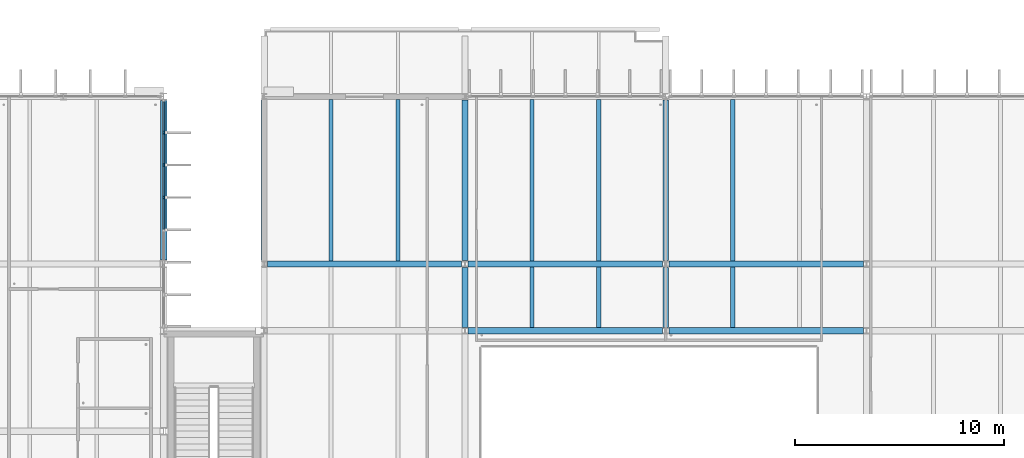
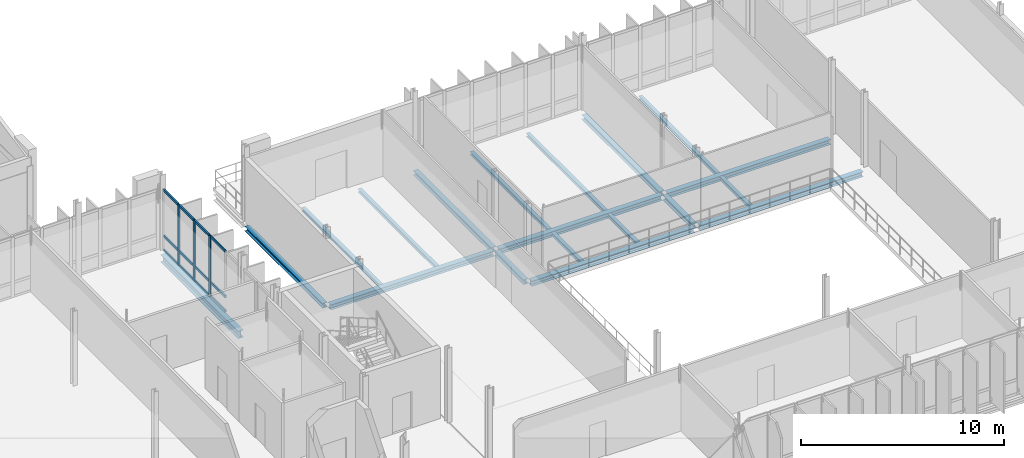
# One storey, part 22 of 93: 19 beams, 15 members, 1 element without a shape of its own.
"""IFC4 building model written with IfcOpenShell, lengths in metres."""

import ifcopenshell
import ifcopenshell.guid

model = None  # the IFC model being written
_history = None  # IfcOwnerHistory: only IFC2X3 demands one
_inside = {}  # id of a spatial element -> (the spatial element, [elements in it])
_under = {}  # id of a project, library or spatial element -> (it, [spatial elements below it])
_declared = {}  # id of a project -> (the project, [libraries it declares])
_typed = {}  # id of a type object -> (the type object, [elements of that type])
_made_of = {}  # id of a material, layer set ... -> (it, [elements and type objects made of it])


def new_model(schema):
    """Start an empty IFC model of exactly this schema.

    Asked for "IFC4X3", IfcOpenShell would pick the latest addendum, in which some entities
    have other attributes; the version numbers below select the first issue.
    IFC2X3 requires an IfcOwnerHistory on every rooted entity: one is made here for all.
    """
    global model, _history
    if schema == "IFC4X3":
        model = ifcopenshell.file(schema_version=(4, 3, 0, 0))
    else:
        model = ifcopenshell.file(schema=schema)
    _inside.clear()
    _under.clear()
    _declared.clear()
    _typed.clear()
    _made_of.clear()
    _history = None
    if model.schema == "IFC2X3":
        org = make("IfcOrganization", Name="unknown")
        user = make(
            "IfcPersonAndOrganization",
            ThePerson=make("IfcPerson", FamilyName="unknown"),
            TheOrganization=org,
        )
        app = make(
            "IfcApplication",
            ApplicationDeveloper=org,
            Version="unknown",
            ApplicationFullName="unknown",
            ApplicationIdentifier="unknown",
        )
        _history = make(
            "IfcOwnerHistory",
            OwningUser=user,
            OwningApplication=app,
            ChangeAction="ADDED",
            CreationDate=0,
        )
    return model


def make(cls, **values):
    """One entity of the class cls with the attributes given. An attribute that is None is left unset."""
    return model.create_entity(
        cls, **{name: value for name, value in values.items() if value is not None}
    )


def rooted(cls, **values):
    """An entity with a GlobalId (a new one), such as an element, a storey or a relation."""
    return make(cls, GlobalId=ifcopenshell.guid.new(), OwnerHistory=_history, **values)


def si_unit(unit_type, name, prefix=None):
    """IfcSIUnit, for example si_unit("LENGTHUNIT", "METRE", prefix="MILLI")."""
    return make("IfcSIUnit", UnitType=unit_type, Prefix=prefix, Name=name)


def assignment(units):
    """IfcUnitAssignment: the units of a project."""
    return None if units is None else make("IfcUnitAssignment", Units=units)


def point(xyz):
    """IfcCartesianPoint."""
    return None if xyz is None else make("IfcCartesianPoint", Coordinates=xyz)


def direction(xyz):
    """IfcDirection."""
    return None if xyz is None else make("IfcDirection", DirectionRatios=xyz)


def frame(location, z_axis=None, x_axis=None):
    """IfcAxis2Placement3D, a coordinate frame: its origin and axes. An axis left out is left unset."""
    return make(
        "IfcAxis2Placement3D",
        Location=point(location),
        Axis=direction(z_axis),
        RefDirection=direction(x_axis),
    )


def frame_2d(location, x_axis=None):
    """IfcAxis2Placement2D, a coordinate frame in the plane: its origin and x axis."""
    return make(
        "IfcAxis2Placement2D", Location=point(location), RefDirection=direction(x_axis)
    )


def origin():
    """The frame at (0, 0, 0) with its axes left unset."""
    return frame((0.0, 0.0, 0.0))


def origin_2d():
    """The frame at (0, 0) in the plane with its x axis left unset."""
    return frame_2d((0.0, 0.0))


def place(relative_to, where):
    """IfcLocalPlacement: puts the frame where relative to a parent placement (None: the world)."""
    return make(
        "IfcLocalPlacement", PlacementRelTo=relative_to, RelativePlacement=where
    )


def context(
    kind, dimensions, precision=None, world=None, true_north=None, identifier=None
):
    """IfcGeometricRepresentationContext, for example the 3D "Model" context."""
    return make(
        "IfcGeometricRepresentationContext",
        ContextIdentifier=identifier,
        ContextType=kind,
        CoordinateSpaceDimension=dimensions,
        Precision=precision,
        WorldCoordinateSystem=world,
        TrueNorth=true_north,
    )


def subcontext(parent, identifier, kind, view, scale=None):
    """IfcGeometricRepresentationSubContext, for example "Body" below "Model"."""
    return make(
        "IfcGeometricRepresentationSubContext",
        ContextIdentifier=identifier,
        ContextType=kind,
        ParentContext=parent,
        TargetScale=scale,
        TargetView=view,
    )


def project(units=None, contexts=None):
    """IfcProject with its units and contexts."""
    return rooted(
        "IfcProject",
        Name="project",
        RepresentationContexts=contexts,
        UnitsInContext=assignment(units),
    )


def spatial(cls, under=None, at=None, **own):
    """A site, building, storey or space (cls), placed at a placement, below another one or the project."""
    s = rooted(cls, ObjectPlacement=at, **own)
    if under is not None:
        _under.setdefault(under.id(), (under, []))[1].append(s)
    return s


def profile(cls, at=None, kind="AREA", **sizes):
    """A parametric profile (cls). Its sizes go by their IFC names, for example OverallWidth=200.0."""
    return make(cls, ProfileType=kind, Position=at, **sizes)


def rectangle(**sizes):
    """IfcRectangleProfileDef."""
    return profile("IfcRectangleProfileDef", **sizes)


def i_section(**sizes):
    """IfcIShapeProfileDef."""
    return profile("IfcIShapeProfileDef", **sizes)


def extrude(swept, where, along, depth):
    """IfcExtrudedAreaSolid: the profile swept, set in the frame where, extruded along a direction by depth."""
    return make(
        "IfcExtrudedAreaSolid",
        SweptArea=swept,
        Position=where,
        ExtrudedDirection=direction(along),
        Depth=depth,
    )


def shape(context_of_items, identifier, shape_type, items):
    """IfcShapeRepresentation: the items that make up one representation, for example the "Body"."""
    return make(
        "IfcShapeRepresentation",
        ContextOfItems=context_of_items,
        RepresentationIdentifier=identifier,
        RepresentationType=shape_type,
        Items=items,
    )


def material(Name=None, Category=None):
    """IfcMaterial."""
    return make("IfcMaterial", Name=Name, Category=Category)


def material_profile(
    of_material, cross_section, Name=None, Category=None, Priority=None
):
    """IfcMaterialProfile: a cross section and its material."""
    return make(
        "IfcMaterialProfile",
        Name=Name,
        Material=of_material,
        Profile=cross_section,
        Priority=Priority,
        Category=Category,
    )


def profile_set(profiles, Name=None, composite=None):
    """IfcMaterialProfileSet."""
    return make(
        "IfcMaterialProfileSet",
        Name=Name,
        MaterialProfiles=profiles,
        CompositeProfile=composite,
    )


def made_of(thing, what):
    """Note that an element or type object is made of a material, layer set ...; save() writes the relation."""
    if what is not None:
        _made_of.setdefault(what.id(), (what, []))[1].append(thing)
    return thing


def type_object(cls, material=None, **own):
    """A type object (cls), such as IfcWallType, which elements share."""
    return made_of(rooted(cls, **own), material)


def element(
    cls,
    number,
    at=None,
    inside=None,
    cuts=None,
    type_object=None,
    material=None,
    context=None,
    identifier="Body",
    shape_type=None,
    held_by="IfcProductDefinitionShape",
    body=None,
    shapes=None,
    **own,
):
    """One element of the class cls, such as IfcWall. Its Tag is "e" and its number.

    at: its placement. inside: the storey or other place that contains it. cuts: it is an
    opening in that element (IfcRelVoidsElement). A single representation is given by context,
    identifier, shape_type and body (its items); several are given by shapes. held_by: the class
    of the entity that holds the representations. save() writes the other relations.
    """
    e = rooted(cls, Tag="e%d" % number, ObjectPlacement=at, **own)
    if body is not None:
        shapes = [shape(context, identifier, shape_type, body)]
    if shapes is not None:
        e.Representation = make(held_by, Representations=shapes)
    if inside is not None:
        _inside.setdefault(inside.id(), (inside, []))[1].append(e)
    if cuts is not None:
        rooted(
            "IfcRelVoidsElement", RelatingBuildingElement=cuts, RelatedOpeningElement=e
        )
    if type_object is not None:
        _typed.setdefault(type_object.id(), (type_object, []))[1].append(e)
    return made_of(e, material)


def aggregate(whole, parts):
    """IfcRelAggregates: a whole, such as a stair, and the parts it consists of."""
    return rooted("IfcRelAggregates", RelatingObject=whole, RelatedObjects=parts)


def save(model, path):
    """Write the relations noted so far, then the file.

    IfcRelAggregates (storeys below a building ...), IfcRelContainedInSpatialStructure (elements
    in a storey), IfcRelDefinesByType, IfcRelAssociatesMaterial and IfcRelDeclares: one each for
    every whole, place, type object, material and project.
    """
    for whole, parts in _under.values():
        aggregate(whole, parts)
    for where, things in _inside.values():
        rooted(
            "IfcRelContainedInSpatialStructure",
            RelatedElements=things,
            RelatingStructure=where,
        )
    for kind, things in _typed.values():
        rooted("IfcRelDefinesByType", RelatedObjects=things, RelatingType=kind)
    for what, things in _made_of.values():
        rooted("IfcRelAssociatesMaterial", RelatedObjects=things, RelatingMaterial=what)
    for by, libraries in _declared.values():
        rooted("IfcRelDeclares", RelatingContext=by, RelatedDefinitions=libraries)
    model.write(path)


model = new_model("IFC4")

# Units and contexts
model_context = context("Model", 3, precision=1e-05, world=origin(), true_north=direction((0.0, 1.0)))
body_context = subcontext(model_context, "Body", "Model", "MODEL_VIEW")
ifc_project = project(units=[si_unit("LENGTHUNIT", "METRE"), si_unit("AREAUNIT", "SQUARE_METRE"), si_unit("VOLUMEUNIT", "CUBIC_METRE"), si_unit("PLANEANGLEUNIT", "RADIAN"), si_unit("MASSUNIT", "GRAM", prefix="KILO")], contexts=[model_context])

# Site, building, storey
site_placement = place(None, origin())
site = spatial("IfcSite", under=ifc_project, at=site_placement, CompositionType="ELEMENT")
building_placement = place(site_placement, origin())
building = spatial("IfcBuilding", under=site, at=building_placement, Name="Dunescarp Central Library", CompositionType="ELEMENT")
storey_placement = place(building_placement, frame((0.0, 0.0, 14.10009765625)))
storey = spatial("IfcBuildingStorey", under=building, at=storey_placement, Name="L03", CompositionType="ELEMENT", Elevation=14.10009765625)

# Curtain wall, members
ifc_material_1 = material(Name="Marine-grade anodised aluminium 6063-T6", Category="aluminium")
curtain_wall_type = type_object("IfcCurtainWallType", Name="ARC-CW-STICK", PredefinedType="NOTDEFINED", material=ifc_material_1)
curtain_wall_placement = place(storey_placement, origin())
curtain_wall = element("IfcCurtainWall", 1, at=curtain_wall_placement, inside=storey, type_object=curtain_wall_type, Name="L03 curtain wall CW-V1-023", PredefinedType="NOTDEFINED")
ifc_material_profile_1 = material_profile(ifc_material_1, rectangle(XDim=0.080078125, YDim=0.179931640625, at=origin_2d()), Name="AL 80x180")
ifc_profile_set_1 = profile_set([ifc_material_profile_1], Name="Marine-grade anodised aluminium 6063-T6")
member_type_1 = type_object("IfcMemberType", Name="ARC-CWM-180", PredefinedType="MULLION", material=ifc_profile_set_1)
member_1_placement = place(storey_placement, frame((33.60009765625, 35.074951171875, 0.0), z_axis=(0.0, 0.0, 1.0), x_axis=(1.0, 0.0, 0.0)))
member_1 = element("IfcMember", 2, at=member_1_placement, type_object=member_type_1, Name="CW-V1-023 mullion 2", PredefinedType="MULLION", context=body_context, shape_type="SweptSolid", body=[
    extrude(rectangle(XDim=0.080078125, YDim=0.179931640625, at=origin_2d()), origin(), (0.0, 0.0, 1.0), 3.6748046875),
])
member_2_placement = place(storey_placement, frame((33.60009765625, 33.52490234375, 0.0), z_axis=(0.0, 0.0, 1.0), x_axis=(1.0, 0.0, 0.0)))
member_2 = element("IfcMember", 3, at=member_2_placement, type_object=member_type_1, Name="CW-V1-023 mullion 3", PredefinedType="MULLION", context=body_context, shape_type="SweptSolid", body=[
    extrude(rectangle(XDim=0.080078125, YDim=0.179931640625, at=origin_2d()), origin(), (0.0, 0.0, 1.0), 3.6748046875),
])
member_3_placement = place(storey_placement, frame((33.60009765625, 31.97509765625, 0.0), z_axis=(0.0, 0.0, 1.0), x_axis=(1.0, 0.0, 0.0)))
member_3 = element("IfcMember", 4, at=member_3_placement, type_object=member_type_1, Name="CW-V1-023 mullion 4", PredefinedType="MULLION", context=body_context, shape_type="SweptSolid", body=[
    extrude(rectangle(XDim=0.080078125, YDim=0.179931640625, at=origin_2d()), origin(), (0.0, 0.0, 1.0), 3.6748046875),
])
ifc_material_profile_2 = material_profile(ifc_material_1, rectangle(XDim=0.080078125, YDim=0.14990234375, at=origin_2d()), Name="AL 80x150")
ifc_profile_set_2 = profile_set([ifc_material_profile_2], Name="Marine-grade anodised aluminium 6063-T6")
member_type_2 = type_object("IfcMemberType", Name="ARC-CWT-150", PredefinedType="USERDEFINED", material=ifc_profile_set_2)
member_4_placement = place(storey_placement, frame((33.60009765625, 36.544921875, 0.039794921875), z_axis=(0.0, -1.0, 0.0), x_axis=(1.0, 0.0, 0.0)))
member_4 = element("IfcMember", 5, at=member_4_placement, type_object=member_type_2, Name="CW-V1-023 transom 1.1", ObjectType="TRANSOM", PredefinedType="USERDEFINED", context=body_context, shape_type="SweptSolid", body=[
    extrude(rectangle(XDim=0.080078125, YDim=0.14990234375, at=origin_2d()), origin(), (0.0, 0.0, 1.0), 1.429931640625),
])
member_5_placement = place(storey_placement, frame((33.60009765625, 36.544921875, 0.89990234375), z_axis=(0.0, -1.0, 0.0), x_axis=(1.0, 0.0, 0.0)))
member_5 = element("IfcMember", 6, at=member_5_placement, type_object=member_type_2, Name="CW-V1-023 transom 1.2", ObjectType="TRANSOM", PredefinedType="USERDEFINED", context=body_context, shape_type="SweptSolid", body=[
    extrude(rectangle(XDim=0.080078125, YDim=0.14990234375, at=origin_2d()), origin(), (0.0, 0.0, 1.0), 1.429931640625),
])
member_6_placement = place(storey_placement, frame((33.60009765625, 36.544921875, 3.635009765625), z_axis=(0.0, -1.0, 0.0), x_axis=(1.0, 0.0, 0.0)))
member_6 = element("IfcMember", 7, at=member_6_placement, type_object=member_type_2, Name="CW-V1-023 transom 1.3", ObjectType="TRANSOM", PredefinedType="USERDEFINED", context=body_context, shape_type="SweptSolid", body=[
    extrude(rectangle(XDim=0.080078125, YDim=0.14990234375, at=origin_2d()), origin(), (0.0, 0.0, 1.0), 1.429931640625),
])
member_7_placement = place(storey_placement, frame((33.60009765625, 35.034912109375, 0.039794921875), z_axis=(0.0, -1.0, 0.0), x_axis=(1.0, 0.0, 0.0)))
member_7 = element("IfcMember", 8, at=member_7_placement, type_object=member_type_2, Name="CW-V1-023 transom 2.1", ObjectType="TRANSOM", PredefinedType="USERDEFINED", context=body_context, shape_type="SweptSolid", body=[
    extrude(rectangle(XDim=0.080078125, YDim=0.14990234375, at=origin_2d()), origin(), (0.0, 0.0, 1.0), 1.469970703125),
])
member_8_placement = place(storey_placement, frame((33.60009765625, 35.034912109375, 0.89990234375), z_axis=(0.0, -1.0, 0.0), x_axis=(1.0, 0.0, 0.0)))
member_8 = element("IfcMember", 9, at=member_8_placement, type_object=member_type_2, Name="CW-V1-023 transom 2.2", ObjectType="TRANSOM", PredefinedType="USERDEFINED", context=body_context, shape_type="SweptSolid", body=[
    extrude(rectangle(XDim=0.080078125, YDim=0.14990234375, at=origin_2d()), origin(), (0.0, 0.0, 1.0), 1.469970703125),
])
member_9_placement = place(storey_placement, frame((33.60009765625, 35.034912109375, 3.635009765625), z_axis=(0.0, -1.0, 0.0), x_axis=(1.0, 0.0, 0.0)))
member_9 = element("IfcMember", 10, at=member_9_placement, type_object=member_type_2, Name="CW-V1-023 transom 2.3", ObjectType="TRANSOM", PredefinedType="USERDEFINED", context=body_context, shape_type="SweptSolid", body=[
    extrude(rectangle(XDim=0.080078125, YDim=0.14990234375, at=origin_2d()), origin(), (0.0, 0.0, 1.0), 1.469970703125),
])
member_10_placement = place(storey_placement, frame((33.60009765625, 33.485107421875, 0.039794921875), z_axis=(0.0, -1.0, 0.0), x_axis=(1.0, 0.0, 0.0)))
member_10 = element("IfcMember", 11, at=member_10_placement, type_object=member_type_2, Name="CW-V1-023 transom 3.1", ObjectType="TRANSOM", PredefinedType="USERDEFINED", context=body_context, shape_type="SweptSolid", body=[
    extrude(rectangle(XDim=0.080078125, YDim=0.14990234375, at=origin_2d()), origin(), (0.0, 0.0, 1.0), 1.47021484375),
])
member_11_placement = place(storey_placement, frame((33.60009765625, 33.485107421875, 0.89990234375), z_axis=(0.0, -1.0, 0.0), x_axis=(1.0, 0.0, 0.0)))
member_11 = element("IfcMember", 12, at=member_11_placement, type_object=member_type_2, Name="CW-V1-023 transom 3.2", ObjectType="TRANSOM", PredefinedType="USERDEFINED", context=body_context, shape_type="SweptSolid", body=[
    extrude(rectangle(XDim=0.080078125, YDim=0.14990234375, at=origin_2d()), origin(), (0.0, 0.0, 1.0), 1.47021484375),
])
member_12_placement = place(storey_placement, frame((33.60009765625, 33.485107421875, 3.635009765625), z_axis=(0.0, -1.0, 0.0), x_axis=(1.0, 0.0, 0.0)))
member_12 = element("IfcMember", 13, at=member_12_placement, type_object=member_type_2, Name="CW-V1-023 transom 3.3", ObjectType="TRANSOM", PredefinedType="USERDEFINED", context=body_context, shape_type="SweptSolid", body=[
    extrude(rectangle(XDim=0.080078125, YDim=0.14990234375, at=origin_2d()), origin(), (0.0, 0.0, 1.0), 1.47021484375),
])
member_13_placement = place(storey_placement, frame((33.60009765625, 31.93505859375, 0.039794921875), z_axis=(0.0, -1.0, 0.0), x_axis=(1.0, 0.0, 0.0)))
member_13 = element("IfcMember", 14, at=member_13_placement, type_object=member_type_2, Name="CW-V1-023 transom 4.1", ObjectType="TRANSOM", PredefinedType="USERDEFINED", context=body_context, shape_type="SweptSolid", body=[
    extrude(rectangle(XDim=0.080078125, YDim=0.14990234375, at=origin_2d()), origin(), (0.0, 0.0, 1.0), 1.469970703125),
])
member_14_placement = place(storey_placement, frame((33.60009765625, 31.93505859375, 0.89990234375), z_axis=(0.0, -1.0, 0.0), x_axis=(1.0, 0.0, 0.0)))
member_14 = element("IfcMember", 15, at=member_14_placement, type_object=member_type_2, Name="CW-V1-023 transom 4.2", ObjectType="TRANSOM", PredefinedType="USERDEFINED", context=body_context, shape_type="SweptSolid", body=[
    extrude(rectangle(XDim=0.080078125, YDim=0.14990234375, at=origin_2d()), origin(), (0.0, 0.0, 1.0), 1.469970703125),
])
member_15_placement = place(storey_placement, frame((33.60009765625, 31.93505859375, 3.635009765625), z_axis=(0.0, -1.0, 0.0), x_axis=(1.0, 0.0, 0.0)))
member_15 = element("IfcMember", 16, at=member_15_placement, type_object=member_type_2, Name="CW-V1-023 transom 4.3", ObjectType="TRANSOM", PredefinedType="USERDEFINED", context=body_context, shape_type="SweptSolid", body=[
    extrude(rectangle(XDim=0.080078125, YDim=0.14990234375, at=origin_2d()), origin(), (0.0, 0.0, 1.0), 1.469970703125),
])
aggregate(curtain_wall, [member_1, member_2, member_3, member_4, member_5, member_6, member_7, member_8, member_9, member_10, member_11, member_12, member_13, member_14, member_15])

# Beams
ifc_material_2 = material(Name="Steel S355JR", Category="steel")
ifc_material_profile_3 = material_profile(ifc_material_2, i_section(OverallWidth=0.300048828125, OverallDepth=0.31005859375, WebThickness=0.009033203125, FlangeThickness=0.015380859375, at=origin_2d()), Name="HEA 320")
ifc_profile_set_3 = profile_set([ifc_material_profile_3], Name="Steel S355JR")
beam_type_1 = type_object("IfcBeamType", Name="STR-BM-HEA320", PredefinedType="BEAM", material=ifc_profile_set_3)
beam_1_placement = place(storey_placement, frame((38.552978515625, 28.800048828125, -0.39501953125), z_axis=(1.0, 0.0, 0.0), x_axis=(0.0, 1.0, 0.0)))
element("IfcBeam", 17, at=beam_1_placement, inside=storey, type_object=beam_type_1, Name="L03 girder BM-L03-0482", PredefinedType="BEAM", context=body_context, shape_type="SweptSolid", body=[
    extrude(i_section(OverallWidth=0.300048828125, OverallDepth=0.31005859375, WebThickness=0.009033203125, FlangeThickness=0.015380859375, at=origin_2d()), origin(), (0.0, 0.0, 1.0), 9.2939453125),
])
beam_2_placement = place(storey_placement, frame((48.15087890625, 25.60009765625, -0.39501953125), z_axis=(1.0, 0.0, 0.0), x_axis=(0.0, 1.0, 0.0)))
element("IfcBeam", 18, at=beam_2_placement, inside=storey, type_object=beam_type_1, Name="L03 girder BM-L03-0497", PredefinedType="BEAM", context=body_context, shape_type="SweptSolid", body=[
    extrude(i_section(OverallWidth=0.300048828125, OverallDepth=0.31005859375, WebThickness=0.009033203125, FlangeThickness=0.015380859375, at=origin_2d()), origin(), (0.0, 0.0, 1.0), 9.298095703125),
])
beam_3_placement = place(storey_placement, frame((48.153076171875, 28.800048828125, -0.39501953125), z_axis=(1.0, 0.0, 0.0), x_axis=(0.0, 1.0, 0.0)))
element("IfcBeam", 19, at=beam_3_placement, inside=storey, type_object=beam_type_1, Name="L03 girder BM-L03-0498", PredefinedType="BEAM", context=body_context, shape_type="SweptSolid", body=[
    extrude(i_section(OverallWidth=0.300048828125, OverallDepth=0.31005859375, WebThickness=0.009033203125, FlangeThickness=0.015380859375, at=origin_2d()), origin(), (0.0, 0.0, 1.0), 9.2939453125),
])
beam_4_placement = place(storey_placement, frame((57.7509765625, 25.60009765625, -0.39501953125), z_axis=(1.0, 0.0, 0.0), x_axis=(0.0, 1.0, 0.0)))
element("IfcBeam", 20, at=beam_4_placement, inside=storey, type_object=beam_type_1, Name="L03 girder BM-L03-0511", PredefinedType="BEAM", context=body_context, shape_type="SweptSolid", body=[
    extrude(i_section(OverallWidth=0.300048828125, OverallDepth=0.31005859375, WebThickness=0.009033203125, FlangeThickness=0.015380859375, at=origin_2d()), origin(), (0.0, 0.0, 1.0), 9.298095703125),
])
beam_5_placement = place(storey_placement, frame((57.7529296875, 28.800048828125, -0.39501953125), z_axis=(1.0, 0.0, 0.0), x_axis=(0.0, 1.0, 0.0)))
element("IfcBeam", 21, at=beam_5_placement, inside=storey, type_object=beam_type_1, Name="L03 girder BM-L03-0513", PredefinedType="BEAM", context=body_context, shape_type="SweptSolid", body=[
    extrude(i_section(OverallWidth=0.300048828125, OverallDepth=0.31005859375, WebThickness=0.009033203125, FlangeThickness=0.015380859375, at=origin_2d()), origin(), (0.0, 0.0, 1.0), 9.294189453125),
])
ifc_material_profile_4 = material_profile(ifc_material_2, i_section(OverallWidth=0.280029296875, OverallDepth=0.280029296875, WebThickness=0.010498046875, FlangeThickness=0.01806640625, at=origin_2d()), Name="HEB 280")
ifc_profile_set_4 = profile_set([ifc_material_profile_4], Name="Steel S355JR")
beam_type_2 = type_object("IfcBeamType", Name="STR-BM-HEB280", PredefinedType="BEAM", material=ifc_profile_set_4)
beam_6_placement = place(storey_placement, frame((48.0, 25.75390625, -0.380126953125), z_axis=(0.0, 1.0, 0.0), x_axis=(-1.0, 0.0, 0.0)))
element("IfcBeam", 22, at=beam_6_placement, inside=storey, type_object=beam_type_2, Name="L03 girder BM-L03-0484", PredefinedType="BEAM", context=body_context, shape_type="SweptSolid", body=[
    extrude(i_section(OverallWidth=0.280029296875, OverallDepth=0.280029296875, WebThickness=0.010498046875, FlangeThickness=0.01806640625, at=origin_2d()), origin(), (0.0, 0.0, 1.0), 2.885009765625),
])
for number, where, z_axis, x_axis, name in (
    (23, (38.39990234375, 28.9609375, -0.380126953125), (0.0, 1.0, 0.0), (-1.0, 0.0, 0.0), "L03 girder BM-L03-0488"),
    (24, (48.0, 28.9609375, -0.380126953125), (0.0, 1.0, 0.0), (-1.0, 0.0, 0.0), "L03 girder BM-L03-0489"),
):
    element("IfcBeam", number, at=place(storey_placement, frame(where, z_axis=z_axis, x_axis=x_axis)), inside=storey, type_object=beam_type_2, Name=name, PredefinedType="BEAM", context=body_context, shape_type="SweptSolid", body=[
        extrude(i_section(OverallWidth=0.280029296875, OverallDepth=0.280029296875, WebThickness=0.010498046875, FlangeThickness=0.01806640625, at=origin_2d()), origin(), (0.0, 0.0, 1.0), 7.68505859375),
    ])
beam_7_placement = place(storey_placement, frame((57.60009765625, 25.75390625, -0.380126953125), z_axis=(0.0, 1.0, 0.0), x_axis=(-1.0, 0.0, 0.0)))
element("IfcBeam", 25, at=beam_7_placement, inside=storey, type_object=beam_type_2, Name="L03 girder BM-L03-0499", PredefinedType="BEAM", context=body_context, shape_type="SweptSolid", body=[
    extrude(i_section(OverallWidth=0.280029296875, OverallDepth=0.280029296875, WebThickness=0.010498046875, FlangeThickness=0.01806640625, at=origin_2d()), origin(), (0.0, 0.0, 1.0), 2.885009765625),
])
beam_8_placement = place(storey_placement, frame((57.60009765625, 28.9609375, -0.380126953125), z_axis=(0.0, 1.0, 0.0), x_axis=(-1.0, 0.0, 0.0)))
element("IfcBeam", 26, at=beam_8_placement, inside=storey, type_object=beam_type_2, Name="L03 girder BM-L03-0503", PredefinedType="BEAM", context=body_context, shape_type="SweptSolid", body=[
    extrude(i_section(OverallWidth=0.280029296875, OverallDepth=0.280029296875, WebThickness=0.010498046875, FlangeThickness=0.01806640625, at=origin_2d()), origin(), (0.0, 0.0, 1.0), 7.68505859375),
])
ifc_material_profile_5 = material_profile(ifc_material_2, i_section(OverallWidth=0.300048828125, OverallDepth=0.449951171875, WebThickness=0.013916015625, FlangeThickness=0.02587890625, at=origin_2d()), Name="HEB 450")
ifc_profile_set_5 = profile_set([ifc_material_profile_5], Name="Steel S355JR")
beam_type_3 = type_object("IfcBeamType", Name="STR-BM-HEB450", PredefinedType="BEAM", material=ifc_profile_set_5)
beam_9_placement = place(storey_placement, frame((33.60009765625, 28.97802734375, -0.465087890625), z_axis=(0.0, 1.0, 0.0), x_axis=(-1.0, 0.0, 0.0)))
element("IfcBeam", 27, at=beam_9_placement, inside=storey, type_object=beam_type_3, Name="L03 girder BM-L03-0163", PredefinedType="BEAM", context=body_context, shape_type="SweptSolid", body=[
    extrude(i_section(OverallWidth=0.300048828125, OverallDepth=0.449951171875, WebThickness=0.013916015625, FlangeThickness=0.02587890625, at=origin_2d()), origin(), (0.0, 0.0, 1.0), 7.64404296875),
])
ifc_material_profile_6 = material_profile(ifc_material_2, i_section(OverallWidth=0.199951171875, OverallDepth=0.199951171875, WebThickness=0.009033203125, FlangeThickness=0.014892578125, at=origin_2d()), Name="HEB 200")
ifc_profile_set_6 = profile_set([ifc_material_profile_6], Name="Steel S355JR")
beam_type_4 = type_object("IfcBeamType", Name="STR-JS-HEB200", PredefinedType="JOIST", material=ifc_profile_set_6)
for number, where, z_axis, x_axis, name in (
    (28, (41.60009765625, 28.947998046875, -0.340087890625), (0.0, 1.0, 0.0), (-1.0, 0.0, 0.0), "L03 joist JS-L03-0490"),
    (29, (44.800048828125, 28.947998046875, -0.340087890625), (0.0, 1.0, 0.0), (-1.0, 0.0, 0.0), "L03 joist JS-L03-0491"),
):
    element("IfcBeam", number, at=place(storey_placement, frame(where, z_axis=z_axis, x_axis=x_axis)), inside=storey, type_object=beam_type_4, Name=name, PredefinedType="JOIST", context=body_context, shape_type="SweptSolid", body=[
        extrude(i_section(OverallWidth=0.199951171875, OverallDepth=0.199951171875, WebThickness=0.009033203125, FlangeThickness=0.014892578125, at=origin_2d()), origin(), (0.0, 0.0, 1.0), 7.7041015625),
    ])
for number, where, z_axis, x_axis, name in (
    (30, (51.199951171875, 25.748046875, -0.340087890625), (0.0, 1.0, 0.0), (-1.0, 0.0, 0.0), "L03 joist JS-L03-0500"),
    (31, (54.39990234375, 25.748046875, -0.340087890625), (0.0, 1.0, 0.0), (-1.0, 0.0, 0.0), "L03 joist JS-L03-0501"),
):
    element("IfcBeam", number, at=place(storey_placement, frame(where, z_axis=z_axis, x_axis=x_axis)), inside=storey, type_object=beam_type_4, Name=name, PredefinedType="JOIST", context=body_context, shape_type="SweptSolid", body=[
        extrude(i_section(OverallWidth=0.199951171875, OverallDepth=0.199951171875, WebThickness=0.009033203125, FlangeThickness=0.014892578125, at=origin_2d()), origin(), (0.0, 0.0, 1.0), 2.904052734375),
    ])
for number, where, z_axis, x_axis, name in (
    (32, (51.199951171875, 28.947998046875, -0.340087890625), (0.0, 1.0, 0.0), (-1.0, 0.0, 0.0), "L03 joist JS-L03-0504"),
    (33, (54.39990234375, 28.947998046875, -0.340087890625), (0.0, 1.0, 0.0), (-1.0, 0.0, 0.0), "L03 joist JS-L03-0505"),
):
    element("IfcBeam", number, at=place(storey_placement, frame(where, z_axis=z_axis, x_axis=x_axis)), inside=storey, type_object=beam_type_4, Name=name, PredefinedType="JOIST", context=body_context, shape_type="SweptSolid", body=[
        extrude(i_section(OverallWidth=0.199951171875, OverallDepth=0.199951171875, WebThickness=0.009033203125, FlangeThickness=0.014892578125, at=origin_2d()), origin(), (0.0, 0.0, 1.0), 7.7041015625),
    ])
beam_10_placement = place(storey_placement, frame((60.800048828125, 25.748046875, -0.340087890625), z_axis=(0.0, 1.0, 0.0), x_axis=(-1.0, 0.0, 0.0)))
element("IfcBeam", 34, at=beam_10_placement, inside=storey, type_object=beam_type_4, Name="L03 joist JS-L03-0515", PredefinedType="JOIST", context=body_context, shape_type="SweptSolid", body=[
    extrude(i_section(OverallWidth=0.199951171875, OverallDepth=0.199951171875, WebThickness=0.009033203125, FlangeThickness=0.014892578125, at=origin_2d()), origin(), (0.0, 0.0, 1.0), 2.904052734375),
])
beam_11_placement = place(storey_placement, frame((60.800048828125, 28.947998046875, -0.340087890625), z_axis=(0.0, 1.0, 0.0), x_axis=(-1.0, 0.0, 0.0)))
element("IfcBeam", 35, at=beam_11_placement, inside=storey, type_object=beam_type_4, Name="L03 joist JS-L03-0519", PredefinedType="JOIST", context=body_context, shape_type="SweptSolid", body=[
    extrude(i_section(OverallWidth=0.199951171875, OverallDepth=0.199951171875, WebThickness=0.009033203125, FlangeThickness=0.014892578125, at=origin_2d()), origin(), (0.0, 0.0, 1.0), 7.7041015625),
])

save(model, "model.ifc")
